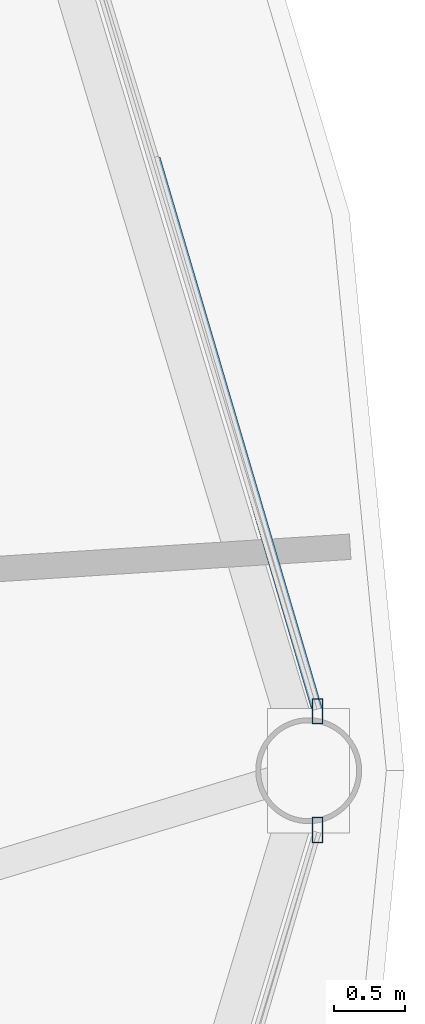
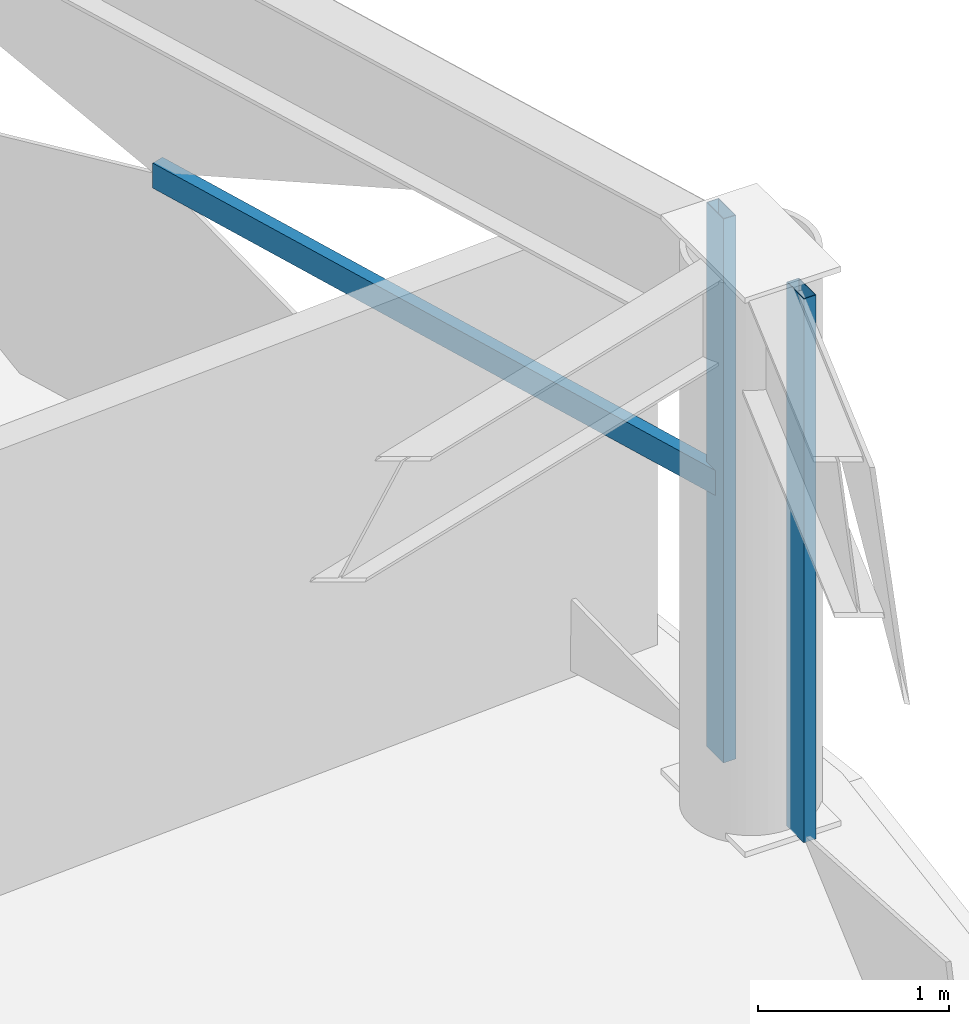
# One storey, part 13 of 30: 3 members, 2 elements without a shape of their own.
"""IFC4 building model written with IfcOpenShell, lengths in metres."""

from ifc_helpers import new_model, si_unit, direction, frame, origin, origin_2d, place, context, subcontext, project, spatial, hollow_rectangle, extrude, material, layer, layer_set, material_profile, profile_set, type_object, element, aggregate, save


model = new_model("IFC4")

# Units and contexts
model_context = context("Model", 3, precision=1e-05, world=origin(), true_north=direction((0.0, 1.0)))
body_context = subcontext(model_context, "Body", "Model", "MODEL_VIEW")
ifc_project = project(units=[si_unit("LENGTHUNIT", "METRE"), si_unit("AREAUNIT", "SQUARE_METRE"), si_unit("VOLUMEUNIT", "CUBIC_METRE"), si_unit("PLANEANGLEUNIT", "RADIAN"), si_unit("MASSUNIT", "GRAM", prefix="KILO")], contexts=[model_context])

# Site, building, storey
site_placement = place(None, origin())
site = spatial("IfcSite", under=ifc_project, at=site_placement, CompositionType="ELEMENT")
building_placement = place(site_placement, origin())
building = spatial("IfcBuilding", under=site, at=building_placement, Name="Vantalir Tower", CompositionType="ELEMENT")
storey_placement = place(building_placement, frame((0.0, 0.0, 153.449951171875)))
storey = spatial("IfcBuildingStorey", under=building, at=storey_placement, Name="L38", CompositionType="ELEMENT", Elevation=153.449951171875)

# Curtain wall, member
ifc_material_1 = material(Name="Champagne-silver PVDF aluminium and double-silver Low-E glass", Category="aluminium")
ifc_layer = layer(ifc_material_1, 0.199951171875)
ifc_layer_set = layer_set([ifc_layer], Name="Champagne-silver PVDF aluminium and double-silver Low-E glass")
curtain_wall_type = type_object("IfcCurtainWallType", Name="CW-DIAMOND-Z2", PredefinedType="USERDEFINED", material=ifc_layer_set)
curtain_wall_1_placement = place(storey_placement, origin())
curtain_wall_1 = element("IfcCurtainWall", 1, at=curtain_wall_1_placement, inside=storey, type_object=curtain_wall_type, Name="L38 Quilted Pyramid-Diamond Curtain Wall S01", ObjectType="UNITISED CURTAIN WALL", PredefinedType="USERDEFINED")
ifc_material_2 = material(Name="Champagne-silver PVDF aluminium 6063-T6", Category="aluminium")
ifc_material_profile_1 = material_profile(ifc_material_2, hollow_rectangle(XDim=0.074951171875, YDim=0.179931640625, WallThickness=0.00390625, at=origin_2d()), Name="Champagne-silver PVDF aluminium 6063-T6")
ifc_profile_set_1 = profile_set([ifc_material_profile_1], Name="Champagne-silver PVDF aluminium 6063-T6")
member_type_1 = type_object("IfcMemberType", Name="CWM-180x75", PredefinedType="MULLION", material=ifc_profile_set_1)
member_1_placement = place(storey_placement, frame((56.345947265625, 25.4208984375, 0.045166015625), z_axis=(0.0, 0.0, 1.0), x_axis=(1.0, 0.0, 0.0)))
member_1 = element("IfcMember", 2, at=member_1_placement, type_object=member_type_1, Name="CW-L38-S01 Mullion 1", PredefinedType="MULLION", context=body_context, shape_type="SweptSolid", body=[
    extrude(hollow_rectangle(XDim=0.074951171875, YDim=0.179931640625, WallThickness=0.00390625, at=origin_2d()), origin(), (0.0, 0.0, 1.0), 3.47998046875),
])

curtain_wall_2_placement = place(storey_placement, origin())
curtain_wall_2 = element("IfcCurtainWall", 3, at=curtain_wall_2_placement, inside=storey, type_object=curtain_wall_type, Name="L38 Quilted Pyramid-Diamond Curtain Wall S12", ObjectType="UNITISED CURTAIN WALL", PredefinedType="USERDEFINED")
member_2_placement = place(storey_placement, frame((56.345947265625, 24.5791015625, 0.045166015625), z_axis=(0.0, 0.0, 1.0), x_axis=(1.0, 0.0, 0.0)))
member_2 = element("IfcMember", 4, at=member_2_placement, type_object=member_type_1, Name="CW-L38-S12 Mullion 2", PredefinedType="MULLION", context=body_context, shape_type="SweptSolid", body=[
    extrude(hollow_rectangle(XDim=0.074951171875, YDim=0.179931640625, WallThickness=0.00390625, at=origin_2d()), origin(), (0.0, 0.0, 1.0), 3.47998046875),
])
aggregate(curtain_wall_2, [member_2])

# Member
ifc_material_profile_2 = material_profile(ifc_material_2, hollow_rectangle(XDim=0.074951171875, YDim=0.159912109375, WallThickness=0.00390625, at=origin_2d()), Name="Champagne-silver PVDF aluminium 6063-T6")
ifc_profile_set_2 = profile_set([ifc_material_profile_2], Name="Champagne-silver PVDF aluminium 6063-T6")
member_type_2 = type_object("IfcMemberType", Name="CWT-160x75", PredefinedType="USERDEFINED", material=ifc_profile_set_2)
member_3_placement = place(storey_placement, frame((56.345947265625, 25.4208984375, 1.78515625), z_axis=(-0.282159842793, 0.959367407782, 0.0), x_axis=(-0.959367407782, -0.282159842793, 0.0)))
member_3 = element("IfcMember", 5, at=member_3_placement, type_object=member_type_2, Name="CW-L38-S01 Pyramid Fold Ridge Transom", ObjectType="TRANSOM", PredefinedType="USERDEFINED", context=body_context, shape_type="SweptSolid", body=[
    extrude(hollow_rectangle(XDim=0.074951171875, YDim=0.159912109375, WallThickness=0.00390625, at=origin_2d()), origin(), (0.0, 0.0, 1.0), 4.078857421875),
])

aggregate(curtain_wall_1, [member_1, member_3])

save(model, "model.ifc")
